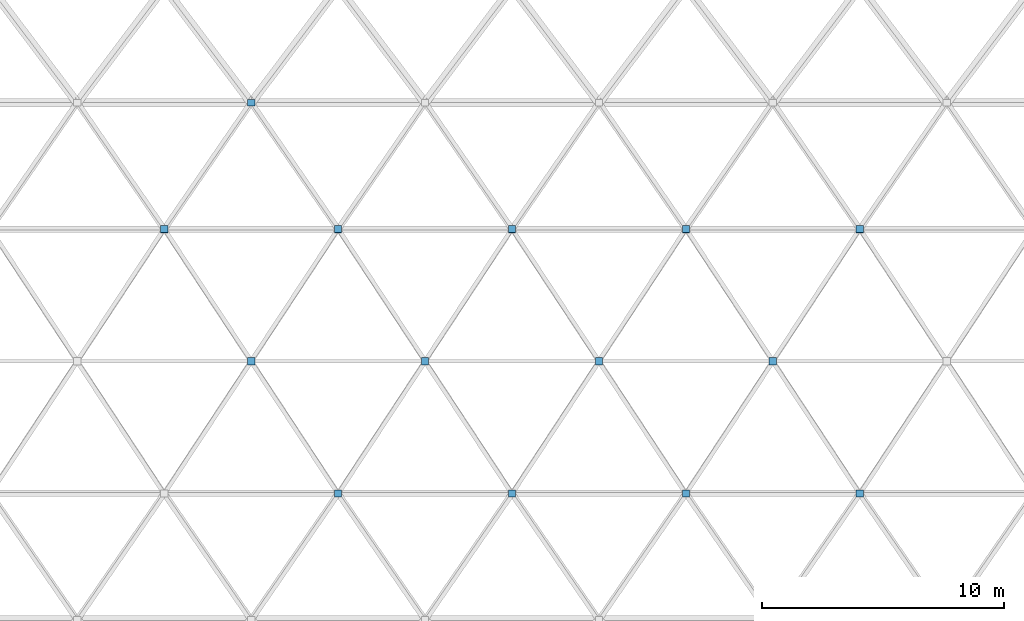
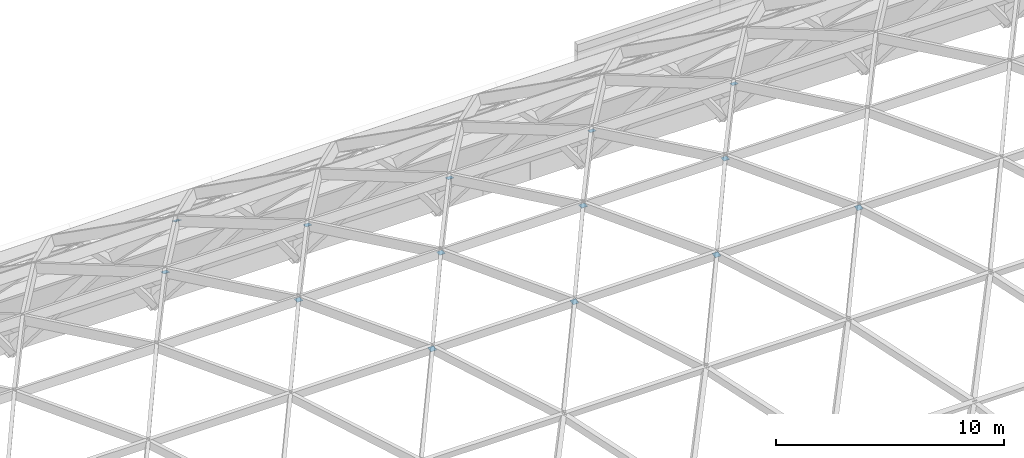
# One storey, part 41 of 52: 14 discrete accessories.
"""IFC4 building model written with IfcOpenShell, lengths in metres."""

from ifc_helpers import new_model, si_unit, direction, frame, origin, origin_2d, place, context, subcontext, project, spatial, rectangle, extrude, material, material_profile, profile_set, type_object, element, save


model = new_model("IFC4")

# Units and contexts
model_context = context("Model", 3, precision=1e-05, world=origin(), true_north=direction((0.0, 1.0)))
body_context = subcontext(model_context, "Body", "Model", "MODEL_VIEW")
ifc_project = project(units=[si_unit("LENGTHUNIT", "METRE"), si_unit("AREAUNIT", "SQUARE_METRE"), si_unit("VOLUMEUNIT", "CUBIC_METRE"), si_unit("PLANEANGLEUNIT", "RADIAN"), si_unit("MASSUNIT", "GRAM", prefix="KILO")], contexts=[model_context])

# Site, building, storey
site_placement = place(None, origin())
site = spatial("IfcSite", under=ifc_project, at=site_placement, CompositionType="ELEMENT")
building_placement = place(site_placement, origin())
building = spatial("IfcBuilding", under=site, at=building_placement, Name="Vermilion Court Aquatics Centre", CompositionType="ELEMENT")
storey_placement = place(building_placement, frame((0.0, 0.0, 12.0)))
storey = spatial("IfcBuildingStorey", under=building, at=storey_placement, Name="L02", CompositionType="ELEMENT", Elevation=12.0)

# Discrete accessories
ifc_material = material(Name="Stainless steel 1.4547, 1.4529 or 1.4565", Category="steel")
ifc_material_profile = material_profile(ifc_material, rectangle(XDim=0.300048828125, YDim=0.300048828125, at=origin_2d()), Name="PL 12 x 300 x 300")
ifc_profile_set = profile_set([ifc_material_profile], Name="Stainless steel 1.4547, 1.4529 or 1.4565")
discrete_accessory_type = type_object("IfcDiscreteAccessoryType", Name="Gridshell node plate", PredefinedType="BRACKET", material=ifc_profile_set)
for number, where, z_axis, x_axis, name in (
    (1, (39.60009765625, 34.13134765625, 17.676025390625), (0.0, -0.219038342307, 0.975716252094), (1.0, 0.0, 0.0), "Gridshell node plate NP1 05-04"),
    (2, (46.800048828125, 34.13134765625, 17.676025390625), (0.0, -0.219038342307, 0.975716252094), (1.0, 0.0, 0.0), "Gridshell node plate NP1 05-05"),
    (3, (54.0, 34.13134765625, 17.676025390625), (0.0, -0.219038342307, 0.975716252094), (1.0, 0.0, 0.0), "Gridshell node plate NP1 05-06"),
    (4, (61.199951171875, 34.13134765625, 17.676025390625), (0.0, -0.219038342307, 0.975716252094), (1.0, 0.0, 0.0), "Gridshell node plate NP1 05-07"),
    (5, (36.0, 39.60009765625, 18.243896484375), (0.0, 0.0, 1.0), (1.0, 0.0, 0.0), "Gridshell node plate NP1 06-03"),
    (6, (43.199951171875, 39.60009765625, 18.243896484375), (0.0, 0.0, 1.0), (1.0, 0.0, 0.0), "Gridshell node plate NP1 06-04"),
    (7, (50.39990234375, 39.60009765625, 18.243896484375), (0.0, 0.0, 1.0), (1.0, 0.0, 0.0), "Gridshell node plate NP1 06-05"),
    (8, (57.60009765625, 39.60009765625, 18.243896484375), (0.0, 0.0, 1.0), (1.0, 0.0, 0.0), "Gridshell node plate NP1 06-06"),
    (9, (32.39990234375, 45.06884765625, 17.676025390625), (0.0, 0.199960011996, 0.97980405878), (-1.0, 0.0, 0.0), "Gridshell node plate NP1 07-03"),
    (10, (39.60009765625, 45.06884765625, 17.676025390625), (0.0, 0.199960011996, 0.97980405878), (-1.0, 0.0, 0.0), "Gridshell node plate NP1 07-04"),
    (11, (46.800048828125, 45.06884765625, 17.676025390625), (0.0, 0.199960011996, 0.97980405878), (-1.0, 0.0, 0.0), "Gridshell node plate NP1 07-05"),
    (12, (54.0, 45.06884765625, 17.676025390625), (0.0, 0.199960011996, 0.97980405878), (-1.0, 0.0, 0.0), "Gridshell node plate NP1 07-06"),
    (13, (61.199951171875, 45.06884765625, 17.676025390625), (0.0, 0.199960011996, 0.97980405878), (-1.0, 0.0, 0.0), "Gridshell node plate NP1 07-07"),
):
    element("IfcDiscreteAccessory", number, at=place(storey_placement, frame(where, z_axis=z_axis, x_axis=x_axis)), inside=storey, type_object=discrete_accessory_type, Name=name, PredefinedType="BRACKET", context=body_context, shape_type="SweptSolid", body=[
        extrude(rectangle(XDim=0.300048828125, YDim=0.300048828125, at=origin_2d()), origin(), (0.0, 0.0, 1.0), 0.01220703125),
    ])
discrete_accessory_placement = place(storey_placement, frame((36.0, 50.297607421875, 16.00146484375), z_axis=(0.0, 0.406138466053, 0.91381154862), x_axis=(-1.0, 0.0, 0.0)))
element("IfcDiscreteAccessory", 14, at=discrete_accessory_placement, inside=storey, type_object=discrete_accessory_type, Name="Gridshell node plate NP1 08-03", PredefinedType="BRACKET", context=body_context, shape_type="SweptSolid", body=[
    extrude(rectangle(XDim=0.300048828125, YDim=0.300048828125, at=origin_2d()), origin(), (0.0, 0.0, 1.0), 0.011962890625),
])

save(model, "model.ifc")
